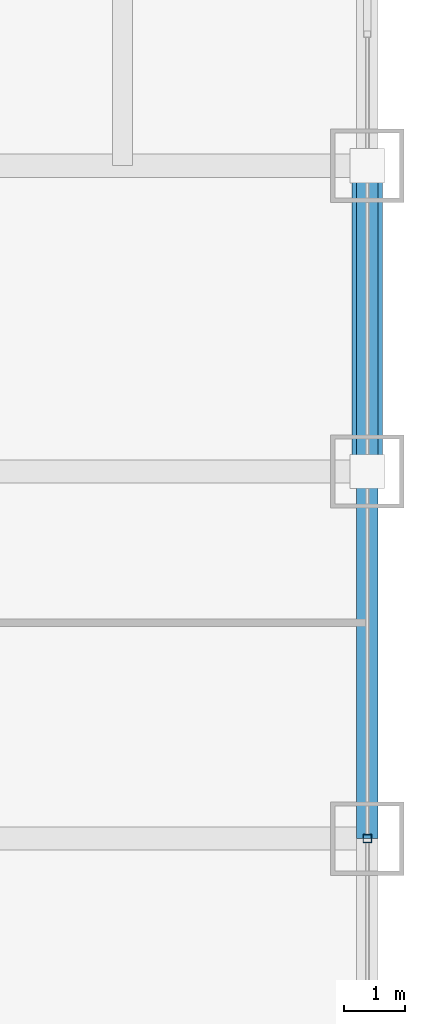
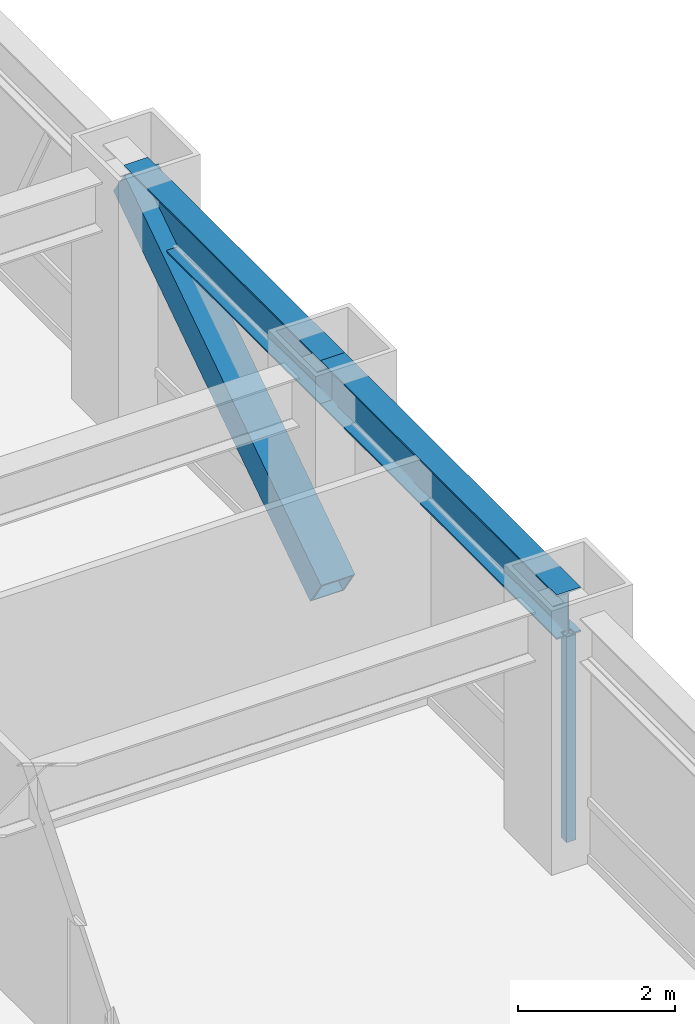
# One storey, part 14 of 32: 2 beams, 2 members, 1 element without a shape of its own.
"""IFC4 building model written with IfcOpenShell, lengths in metres."""

from ifc_helpers import new_model, si_unit, direction, frame, origin, origin_2d, place, context, subcontext, project, spatial, hollow_rectangle, i_section, extrude, source, transform, mapped, material, material_profile, profile_set, type_object, element, aggregate, save


model = new_model("IFC4")

# Units and contexts
model_context = context("Model", 3, precision=1e-05, world=origin(), true_north=direction((0.0, 1.0)))
body_context = subcontext(model_context, "Body", "Model", "MODEL_VIEW")
ifc_project = project(units=[si_unit("LENGTHUNIT", "METRE"), si_unit("AREAUNIT", "SQUARE_METRE"), si_unit("VOLUMEUNIT", "CUBIC_METRE"), si_unit("PLANEANGLEUNIT", "RADIAN"), si_unit("MASSUNIT", "GRAM", prefix="KILO")], contexts=[model_context])

# Site, building, storey
site_placement = place(None, origin())
site = spatial("IfcSite", under=ifc_project, at=site_placement, CompositionType="ELEMENT")
building_placement = place(site_placement, origin())
building = spatial("IfcBuilding", under=site, at=building_placement, Name="Khorayat Bourse Tower", CompositionType="ELEMENT")
storey_placement = place(building_placement, frame((0.0, 0.0, 132.39990234375)))
storey = spatial("IfcBuildingStorey", under=building, at=storey_placement, Name="L30", CompositionType="ELEMENT", Elevation=132.39990234375)

# Beams
ifc_material_1 = material(Name="Steel ASTM A992 Grade 50", Category="steel")
ifc_material_profile_1 = material_profile(ifc_material_1, i_section(OverallWidth=0.35498046875, OverallDepth=0.695068359375, WebThickness=0.015380859375, FlangeThickness=0.02490234375, FilletRadius=0.01806640625, at=origin_2d()), Name="W690X217")
ifc_profile_set_1 = profile_set([ifc_material_profile_1], Name="Steel ASTM A992 Grade 50")
beam_type = type_object("IfcBeamType", Name="BM-SPAN-690", PredefinedType="SPANDREL", material=ifc_profile_set_1)
shared_shape_1 = source(origin(), body_context, "Body", "SweptSolid", [
    extrude(i_section(OverallWidth=0.35498046875, OverallDepth=0.695068359375, WebThickness=0.015380859375, FlangeThickness=0.02490234375, FilletRadius=0.01806640625, at=origin_2d()), origin(), (0.0, 0.0, 1.0), 5.0),
])
beam_1_placement = place(storey_placement, frame((32.0, 6.0, 3.49267578125), z_axis=(0.0, 1.0, 0.0), x_axis=(-1.0, 0.0, 0.0)))
element("IfcBeam", 1, at=beam_1_placement, inside=storey, type_object=beam_type, Name="L30 BM-SPAN-690 BM-L30-SPN-039", PredefinedType="SPANDREL", context=body_context, shape_type="MappedRepresentation", body=[
    mapped(shared_shape_1, transform((0.0, 0.0, 0.0), scale=1.0)),
])
shared_shape_2 = source(origin(), body_context, "Body", "SweptSolid", [
    extrude(i_section(OverallWidth=0.35498046875, OverallDepth=0.695068359375, WebThickness=0.015380859375, FlangeThickness=0.02490234375, FilletRadius=0.01806640625, at=origin_2d()), origin(), (0.0, 0.0, 1.0), 6.0),
])
beam_2_placement = place(storey_placement, frame((32.0, 0.0, 3.49267578125), z_axis=(0.0, 1.0, 0.0), x_axis=(-1.0, 0.0, 0.0)))
element("IfcBeam", 2, at=beam_2_placement, inside=storey, type_object=beam_type, Name="L30 BM-SPAN-690 BM-L30-SPN-038", PredefinedType="SPANDREL", context=body_context, shape_type="MappedRepresentation", body=[
    mapped(shared_shape_2, transform((0.0, 0.0, 0.0), scale=1.0)),
])

# Member
ifc_material_2 = material(Name="Steel EN 10025-4 S460M", Category="steel")
ifc_material_profile_2 = material_profile(ifc_material_2, hollow_rectangle(XDim=0.5, YDim=0.5, WallThickness=0.028076171875, at=origin_2d()), Name="HSS 500x500x28")
ifc_profile_set_2 = profile_set([ifc_material_profile_2], Name="Steel EN 10025-4 S460M")
member_type_1 = type_object("IfcMemberType", Name="MBR-TUBE-500", PredefinedType="BRACE", material=ifc_profile_set_2)
shared_shape_3 = source(origin(), body_context, "Body", "SweptSolid", [
    extrude(hollow_rectangle(XDim=0.5, YDim=0.5, WallThickness=0.028076171875, at=origin_2d()), origin(), (0.0, 0.0, 1.0), 6.012939453125),
])
member_1_placement = place(storey_placement, frame((32.0, 6.0, 0.25), z_axis=(0.0, 0.831531473026, 0.555477640745), x_axis=(-1.0, 0.0, 0.0)))
element("IfcMember", 3, at=member_1_placement, inside=storey, type_object=member_type_1, Name="L30 Perimeter Tube Brace 08", PredefinedType="BRACE", context=body_context, shape_type="MappedRepresentation", body=[
    mapped(shared_shape_3, transform((0.0, 0.0, 0.0), scale=1.0)),
])

# Curtain wall, member
ifc_material_3 = material(Name="Aluminium EN AW-6063 T6", Category="aluminium")
curtain_wall_type = type_object("IfcCurtainWallType", Name="CW-SYS-02", PredefinedType="NOTDEFINED", material=ifc_material_3)
curtain_wall_placement = place(storey_placement, origin())
curtain_wall = element("IfcCurtainWall", 4, at=curtain_wall_placement, inside=storey, type_object=curtain_wall_type, Name="L30 Curtain Wall CW-L30-E1", PredefinedType="NOTDEFINED")
ifc_material_profile_3 = material_profile(ifc_material_3, hollow_rectangle(XDim=0.139892578125, YDim=0.139892578125, WallThickness=0.006103515625, at=origin_2d()), Name="ALU 140x140x6")
ifc_profile_set_3 = profile_set([ifc_material_profile_3], Name="Aluminium EN AW-6063 T6")
member_type_2 = type_object("IfcMemberType", Name="CWM-VERT-140", PredefinedType="MULLION", material=ifc_profile_set_3)
shared_shape_4 = source(origin(), body_context, "Body", "SweptSolid", [
    extrude(hollow_rectangle(XDim=0.139892578125, YDim=0.139892578125, WallThickness=0.006103515625, at=origin_2d()), origin(), (0.0, 0.0, 1.0), 3.190185546875),
])
member_2_placement = place(storey_placement, frame((32.0, 0.0, 0.0), z_axis=(0.0, 0.0, 1.0), x_axis=(-1.0, 0.0, 0.0)))
member_2 = element("IfcMember", 5, at=member_2_placement, type_object=member_type_2, Name="CW-L30-E1 Vertical Mullion 2", PredefinedType="MULLION", context=body_context, shape_type="MappedRepresentation", body=[
    mapped(shared_shape_4, transform((0.0, 0.0, 0.0), scale=1.0)),
])
aggregate(curtain_wall, [member_2])

save(model, "model.ifc")
